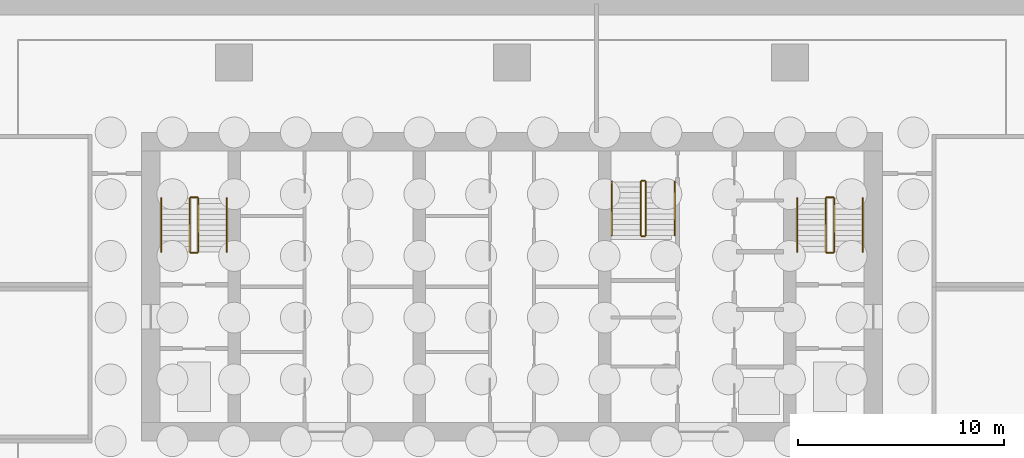
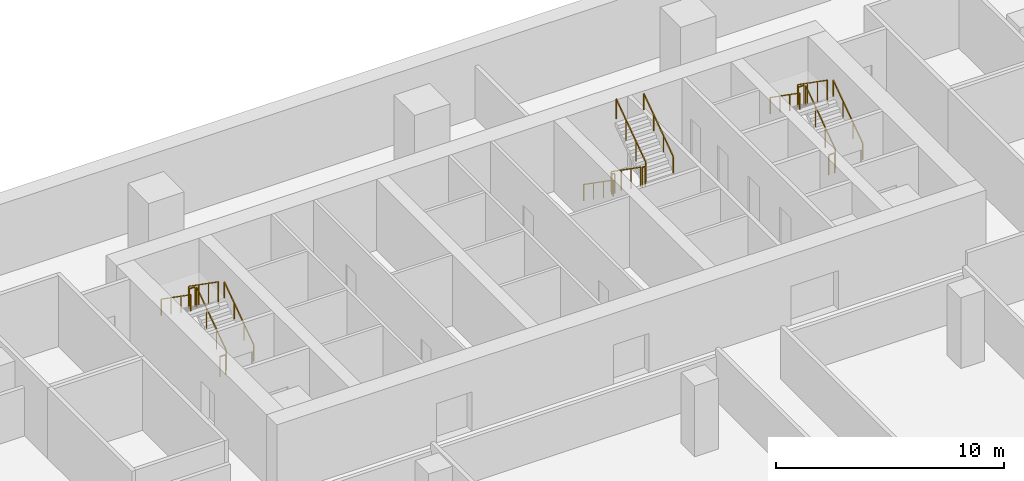
# One storey, part 9 of 10: 18 railings.
"""IFC4 building model written with IfcOpenShell, lengths in metres."""

from ifc_helpers import new_model, si_unit, direction, frame, origin, origin_2d, place, context, subcontext, project, spatial, rectangle, extrude, material, type_object, element, save


model = new_model("IFC4")

# Units and contexts
model_context = context("Model", 3, precision=1e-05, world=origin(), true_north=direction((0.0, 1.0)))
body_context = subcontext(model_context, "Body", "Model", "MODEL_VIEW")
ifc_project = project(units=[si_unit("LENGTHUNIT", "METRE"), si_unit("AREAUNIT", "SQUARE_METRE"), si_unit("VOLUMEUNIT", "CUBIC_METRE"), si_unit("PLANEANGLEUNIT", "RADIAN"), si_unit("MASSUNIT", "GRAM", prefix="KILO")], contexts=[model_context])

# Site, building, storey
site_placement = place(None, origin())
site = spatial("IfcSite", under=ifc_project, at=site_placement, CompositionType="ELEMENT")
building_placement = place(site_placement, origin())
building = spatial("IfcBuilding", under=site, at=building_placement, Name="Rattan Terrace Tower", CompositionType="ELEMENT")
storey_placement = place(building_placement, frame((0.0, 0.0, -13.5)))
storey = spatial("IfcBuildingStorey", under=building, at=storey_placement, Name="B3", CompositionType="ELEMENT", Elevation=-13.5)

# Railings
ifc_material_1 = material(Name="Powder-coated steel guard", Category="steel")
railing_type_1 = type_object("IfcRailingType", Name="Core stair guard", PredefinedType="GUARDRAIL", material=ifc_material_1)
railing_1_placement = place(storey_placement, frame((-15.25, 1.699951171875, 0.181884765625)))
element("IfcRailing", 1, at=railing_1_placement, inside=storey, type_object=railing_type_1, Name="B3 S1 stair guard 1", PredefinedType="GUARDRAIL", context=body_context, shape_type="SweptSolid", body=[
    extrude(rectangle(XDim=0.048095703125, YDim=0.048095703125, at=origin_2d()), frame((0.0, 0.0, 1.076171875), z_axis=(0.0, 0.819521025635, 0.573049115296), x_axis=(-1.0, 0.0, 0.0)), (0.0, 0.0, 1.0), 3.172607421875),
    extrude(rectangle(XDim=0.0419921875, YDim=0.0419921875, at=origin_2d()), origin(), (0.0, 0.0, 1.0), 1.052001953125),
    extrude(rectangle(XDim=0.0419921875, YDim=0.0419921875, at=origin_2d()), frame((0.0, 0.86669921875, 0.60595703125)), (0.0, 0.0, 1.0), 1.052001953125),
    extrude(rectangle(XDim=0.0419921875, YDim=0.0419921875, at=origin_2d()), frame((0.0, 1.7333984375, 1.212158203125)), (0.0, 0.0, 1.0), 1.052001953125),
    extrude(rectangle(XDim=0.0419921875, YDim=0.0419921875, at=origin_2d()), frame((0.0, 2.60009765625, 1.818115234375)), (0.0, 0.0, 1.0), 1.052001953125),
])
railing_2_placement = place(storey_placement, frame((-15.300048828125, 4.35009765625, 2.0)))
element("IfcRailing", 2, at=railing_2_placement, inside=storey, type_object=railing_type_1, Name="B3 S1 stair guard 2", PredefinedType="GUARDRAIL", context=body_context, shape_type="SweptSolid", body=[
    extrude(rectangle(XDim=0.048095703125, YDim=0.048095703125, at=origin_2d()), frame((0.0, 0.0, 1.076171875), z_axis=(-1.0, 0.0, 0.0), x_axis=(0.0, -1.0, 0.0)), (0.0, 0.0, 1.0), 0.300048828125),
    extrude(rectangle(XDim=0.0419921875, YDim=0.0419921875, at=origin_2d()), origin(), (0.0, 0.0, 1.0), 1.052001953125),
    extrude(rectangle(XDim=0.0419921875, YDim=0.0419921875, at=origin_2d()), frame((-0.300048828125, 0.0, 0.0)), (0.0, 0.0, 1.0), 1.052001953125),
])
railing_3_placement = place(storey_placement, frame((-15.64990234375, 4.300048828125, 2.181884765625)))
element("IfcRailing", 3, at=railing_3_placement, inside=storey, type_object=railing_type_1, Name="B3 S1 stair guard 3", PredefinedType="GUARDRAIL", context=body_context, shape_type="SweptSolid", body=[
    extrude(rectangle(XDim=0.048095703125, YDim=0.048095703125, at=origin_2d()), frame((0.0, 0.0, 1.076171875), z_axis=(0.0, -0.819521025635, 0.573049115296), x_axis=(1.0, 0.0, 0.0)), (0.0, 0.0, 1.0), 3.172607421875),
    extrude(rectangle(XDim=0.0419921875, YDim=0.0419921875, at=origin_2d()), origin(), (0.0, 0.0, 1.0), 1.052001953125),
    extrude(rectangle(XDim=0.0419921875, YDim=0.0419921875, at=origin_2d()), frame((0.0, -0.86669921875, 0.60595703125)), (0.0, 0.0, 1.0), 1.052001953125),
    extrude(rectangle(XDim=0.0419921875, YDim=0.0419921875, at=origin_2d()), frame((0.0, -1.7333984375, 1.212158203125)), (0.0, 0.0, 1.0), 1.052001953125),
    extrude(rectangle(XDim=0.0419921875, YDim=0.0419921875, at=origin_2d()), frame((0.0, -2.60009765625, 1.818115234375)), (0.0, 0.0, 1.0), 1.052001953125),
])
railing_4_placement = place(storey_placement, frame((-15.300048828125, 1.64990234375, 0.0)))
element("IfcRailing", 4, at=railing_4_placement, inside=storey, type_object=railing_type_1, Name="B3 S1 stair guard 4", PredefinedType="GUARDRAIL", context=body_context, shape_type="SweptSolid", body=[
    extrude(rectangle(XDim=0.048095703125, YDim=0.048095703125, at=origin_2d()), frame((0.0, 0.0, 1.076171875), z_axis=(-1.0, 0.0, 0.0), x_axis=(0.0, -1.0, 0.0)), (0.0, 0.0, 1.0), 0.300048828125),
    extrude(rectangle(XDim=0.0419921875, YDim=0.0419921875, at=origin_2d()), origin(), (0.0, 0.0, 1.0), 1.052001953125),
    extrude(rectangle(XDim=0.0419921875, YDim=0.0419921875, at=origin_2d()), frame((-0.300048828125, 0.0, 0.0)), (0.0, 0.0, 1.0), 1.052001953125),
])
railing_5_placement = place(storey_placement, frame((15.64990234375, 1.699951171875, 0.181884765625)))
element("IfcRailing", 5, at=railing_5_placement, inside=storey, type_object=railing_type_1, Name="B3 S2 stair guard 1", PredefinedType="GUARDRAIL", context=body_context, shape_type="SweptSolid", body=[
    extrude(rectangle(XDim=0.048095703125, YDim=0.048095703125, at=origin_2d()), frame((0.0, 0.0, 1.076171875), z_axis=(0.0, 0.819521025635, 0.573049115296), x_axis=(-1.0, 0.0, 0.0)), (0.0, 0.0, 1.0), 3.172607421875),
    extrude(rectangle(XDim=0.0419921875, YDim=0.0419921875, at=origin_2d()), origin(), (0.0, 0.0, 1.0), 1.052001953125),
    extrude(rectangle(XDim=0.0419921875, YDim=0.0419921875, at=origin_2d()), frame((0.0, 0.86669921875, 0.60595703125)), (0.0, 0.0, 1.0), 1.052001953125),
    extrude(rectangle(XDim=0.0419921875, YDim=0.0419921875, at=origin_2d()), frame((0.0, 1.7333984375, 1.212158203125)), (0.0, 0.0, 1.0), 1.052001953125),
    extrude(rectangle(XDim=0.0419921875, YDim=0.0419921875, at=origin_2d()), frame((0.0, 2.60009765625, 1.818115234375)), (0.0, 0.0, 1.0), 1.052001953125),
])
railing_6_placement = place(storey_placement, frame((15.60009765625, 4.35009765625, 2.0)))
element("IfcRailing", 6, at=railing_6_placement, inside=storey, type_object=railing_type_1, Name="B3 S2 stair guard 2", PredefinedType="GUARDRAIL", context=body_context, shape_type="SweptSolid", body=[
    extrude(rectangle(XDim=0.048095703125, YDim=0.048095703125, at=origin_2d()), frame((0.0, 0.0, 1.076171875), z_axis=(-1.0, 0.0, 0.0), x_axis=(0.0, -1.0, 0.0)), (0.0, 0.0, 1.0), 0.300048828125),
    extrude(rectangle(XDim=0.0419921875, YDim=0.0419921875, at=origin_2d()), origin(), (0.0, 0.0, 1.0), 1.052001953125),
    extrude(rectangle(XDim=0.0419921875, YDim=0.0419921875, at=origin_2d()), frame((-0.300048828125, 0.0, 0.0)), (0.0, 0.0, 1.0), 1.052001953125),
])
railing_7_placement = place(storey_placement, frame((15.25, 4.300048828125, 2.181884765625)))
element("IfcRailing", 7, at=railing_7_placement, inside=storey, type_object=railing_type_1, Name="B3 S2 stair guard 3", PredefinedType="GUARDRAIL", context=body_context, shape_type="SweptSolid", body=[
    extrude(rectangle(XDim=0.048095703125, YDim=0.048095703125, at=origin_2d()), frame((0.0, 0.0, 1.076171875), z_axis=(0.0, -0.819521025635, 0.573049115296), x_axis=(1.0, 0.0, 0.0)), (0.0, 0.0, 1.0), 3.172607421875),
    extrude(rectangle(XDim=0.0419921875, YDim=0.0419921875, at=origin_2d()), origin(), (0.0, 0.0, 1.0), 1.052001953125),
    extrude(rectangle(XDim=0.0419921875, YDim=0.0419921875, at=origin_2d()), frame((0.0, -0.86669921875, 0.60595703125)), (0.0, 0.0, 1.0), 1.052001953125),
    extrude(rectangle(XDim=0.0419921875, YDim=0.0419921875, at=origin_2d()), frame((0.0, -1.7333984375, 1.212158203125)), (0.0, 0.0, 1.0), 1.052001953125),
    extrude(rectangle(XDim=0.0419921875, YDim=0.0419921875, at=origin_2d()), frame((0.0, -2.60009765625, 1.818115234375)), (0.0, 0.0, 1.0), 1.052001953125),
])
railing_8_placement = place(storey_placement, frame((15.60009765625, 1.64990234375, 0.0)))
element("IfcRailing", 8, at=railing_8_placement, inside=storey, type_object=railing_type_1, Name="B3 S2 stair guard 4", PredefinedType="GUARDRAIL", context=body_context, shape_type="SweptSolid", body=[
    extrude(rectangle(XDim=0.048095703125, YDim=0.048095703125, at=origin_2d()), frame((0.0, 0.0, 1.076171875), z_axis=(-1.0, 0.0, 0.0), x_axis=(0.0, -1.0, 0.0)), (0.0, 0.0, 1.0), 0.300048828125),
    extrude(rectangle(XDim=0.0419921875, YDim=0.0419921875, at=origin_2d()), origin(), (0.0, 0.0, 1.0), 1.052001953125),
    extrude(rectangle(XDim=0.0419921875, YDim=0.0419921875, at=origin_2d()), frame((-0.300048828125, 0.0, 0.0)), (0.0, 0.0, 1.0), 1.052001953125),
])
railing_9_placement = place(storey_placement, frame((6.25, 5.10009765625, 0.181884765625)))
element("IfcRailing", 9, at=railing_9_placement, inside=storey, type_object=railing_type_1, Name="B3 S3 stair guard 1", PredefinedType="GUARDRAIL", context=body_context, shape_type="SweptSolid", body=[
    extrude(rectangle(XDim=0.048095703125, YDim=0.048095703125, at=origin_2d()), frame((0.0, 0.0, 1.076171875), z_axis=(0.0, -0.819521025635, 0.573049115296), x_axis=(1.0, 0.0, 0.0)), (0.0, 0.0, 1.0), 3.172607421875),
    extrude(rectangle(XDim=0.0419921875, YDim=0.0419921875, at=origin_2d()), origin(), (0.0, 0.0, 1.0), 1.052001953125),
    extrude(rectangle(XDim=0.0419921875, YDim=0.0419921875, at=origin_2d()), frame((0.0, -0.86669921875, 0.60595703125)), (0.0, 0.0, 1.0), 1.052001953125),
    extrude(rectangle(XDim=0.0419921875, YDim=0.0419921875, at=origin_2d()), frame((0.0, -1.7333984375, 1.212158203125)), (0.0, 0.0, 1.0), 1.052001953125),
    extrude(rectangle(XDim=0.0419921875, YDim=0.0419921875, at=origin_2d()), frame((0.0, -2.60009765625, 1.818115234375)), (0.0, 0.0, 1.0), 1.052001953125),
])
railing_10_placement = place(storey_placement, frame((6.300048828125, 2.449951171875, 2.0)))
element("IfcRailing", 10, at=railing_10_placement, inside=storey, type_object=railing_type_1, Name="B3 S3 stair guard 2", PredefinedType="GUARDRAIL", context=body_context, shape_type="SweptSolid", body=[
    extrude(rectangle(XDim=0.048095703125, YDim=0.048095703125, at=origin_2d()), frame((0.0, 0.0, 1.076171875), z_axis=(1.0, 0.0, 0.0), x_axis=(0.0, 1.0, 0.0)), (0.0, 0.0, 1.0), 0.14990234375),
    extrude(rectangle(XDim=0.0419921875, YDim=0.0419921875, at=origin_2d()), origin(), (0.0, 0.0, 1.0), 1.052001953125),
    extrude(rectangle(XDim=0.0419921875, YDim=0.0419921875, at=origin_2d()), frame((0.14990234375, 0.0, 0.0)), (0.0, 0.0, 1.0), 1.052001953125),
])
railing_11_placement = place(storey_placement, frame((6.5, 2.5, 2.181884765625)))
element("IfcRailing", 11, at=railing_11_placement, inside=storey, type_object=railing_type_1, Name="B3 S3 stair guard 3", PredefinedType="GUARDRAIL", context=body_context, shape_type="SweptSolid", body=[
    extrude(rectangle(XDim=0.048095703125, YDim=0.048095703125, at=origin_2d()), frame((0.0, 0.0, 1.076171875), z_axis=(0.0, 0.819521025635, 0.573049115296), x_axis=(-1.0, 0.0, 0.0)), (0.0, 0.0, 1.0), 3.172607421875),
    extrude(rectangle(XDim=0.0419921875, YDim=0.0419921875, at=origin_2d()), origin(), (0.0, 0.0, 1.0), 1.052001953125),
    extrude(rectangle(XDim=0.0419921875, YDim=0.0419921875, at=origin_2d()), frame((0.0, 0.86669921875, 0.60595703125)), (0.0, 0.0, 1.0), 1.052001953125),
    extrude(rectangle(XDim=0.0419921875, YDim=0.0419921875, at=origin_2d()), frame((0.0, 1.7333984375, 1.212158203125)), (0.0, 0.0, 1.0), 1.052001953125),
    extrude(rectangle(XDim=0.0419921875, YDim=0.0419921875, at=origin_2d()), frame((0.0, 2.60009765625, 1.818115234375)), (0.0, 0.0, 1.0), 1.052001953125),
])
railing_12_placement = place(storey_placement, frame((6.300048828125, 5.14990234375, 0.0)))
element("IfcRailing", 12, at=railing_12_placement, inside=storey, type_object=railing_type_1, Name="B3 S3 stair guard 4", PredefinedType="GUARDRAIL", context=body_context, shape_type="SweptSolid", body=[
    extrude(rectangle(XDim=0.048095703125, YDim=0.048095703125, at=origin_2d()), frame((0.0, 0.0, 1.076171875), z_axis=(1.0, 0.0, 0.0), x_axis=(0.0, 1.0, 0.0)), (0.0, 0.0, 1.0), 0.14990234375),
    extrude(rectangle(XDim=0.0419921875, YDim=0.0419921875, at=origin_2d()), origin(), (0.0, 0.0, 1.0), 1.052001953125),
    extrude(rectangle(XDim=0.0419921875, YDim=0.0419921875, at=origin_2d()), frame((0.14990234375, 0.0, 0.0)), (0.0, 0.0, 1.0), 1.052001953125),
])
ifc_material_2 = material(Name="Powder-coated steel handrail", Category="steel")
railing_type_2 = type_object("IfcRailingType", Name="Core stair handrail", PredefinedType="HANDRAIL", material=ifc_material_2)
railing_13_placement = place(storey_placement, frame((-13.85009765625, 1.699951171875, 0.181884765625)))
element("IfcRailing", 13, at=railing_13_placement, inside=storey, type_object=railing_type_2, Name="B3 S1 stair handrail 1", PredefinedType="HANDRAIL", context=body_context, shape_type="SweptSolid", body=[
    extrude(rectangle(XDim=0.048095703125, YDim=0.048095703125, at=origin_2d()), frame((0.0, 0.0, 0.8759765625), z_axis=(0.0, 0.819521025635, 0.573049115296), x_axis=(-1.0, 0.0, 0.0)), (0.0, 0.0, 1.0), 3.172607421875),
    extrude(rectangle(XDim=0.0419921875, YDim=0.0419921875, at=origin_2d()), origin(), (0.0, 0.0, 1.0), 0.851806640625),
    extrude(rectangle(XDim=0.0419921875, YDim=0.0419921875, at=origin_2d()), frame((0.0, 0.86669921875, 0.60595703125)), (0.0, 0.0, 1.0), 0.851806640625),
    extrude(rectangle(XDim=0.0419921875, YDim=0.0419921875, at=origin_2d()), frame((0.0, 1.7333984375, 1.212158203125)), (0.0, 0.0, 1.0), 0.851806640625),
    extrude(rectangle(XDim=0.0419921875, YDim=0.0419921875, at=origin_2d()), frame((0.0, 2.60009765625, 1.818115234375)), (0.0, 0.0, 1.0), 0.851806640625),
])
railing_14_placement = place(storey_placement, frame((-17.050048828125, 4.300048828125, 2.181884765625)))
element("IfcRailing", 14, at=railing_14_placement, inside=storey, type_object=railing_type_2, Name="B3 S1 stair handrail 2", PredefinedType="HANDRAIL", context=body_context, shape_type="SweptSolid", body=[
    extrude(rectangle(XDim=0.048095703125, YDim=0.048095703125, at=origin_2d()), frame((0.0, 0.0, 0.8759765625), z_axis=(0.0, -0.819521025635, 0.573049115296), x_axis=(1.0, 0.0, 0.0)), (0.0, 0.0, 1.0), 3.172607421875),
    extrude(rectangle(XDim=0.0419921875, YDim=0.0419921875, at=origin_2d()), origin(), (0.0, 0.0, 1.0), 0.851806640625),
    extrude(rectangle(XDim=0.0419921875, YDim=0.0419921875, at=origin_2d()), frame((0.0, -0.86669921875, 0.60595703125)), (0.0, 0.0, 1.0), 0.851806640625),
    extrude(rectangle(XDim=0.0419921875, YDim=0.0419921875, at=origin_2d()), frame((0.0, -1.7333984375, 1.212158203125)), (0.0, 0.0, 1.0), 0.851806640625),
    extrude(rectangle(XDim=0.0419921875, YDim=0.0419921875, at=origin_2d()), frame((0.0, -2.60009765625, 1.818115234375)), (0.0, 0.0, 1.0), 0.851806640625),
])
railing_15_placement = place(storey_placement, frame((17.050048828125, 1.699951171875, 0.181884765625)))
element("IfcRailing", 15, at=railing_15_placement, inside=storey, type_object=railing_type_2, Name="B3 S2 stair handrail 1", PredefinedType="HANDRAIL", context=body_context, shape_type="SweptSolid", body=[
    extrude(rectangle(XDim=0.048095703125, YDim=0.048095703125, at=origin_2d()), frame((0.0, 0.0, 0.8759765625), z_axis=(0.0, 0.819521025635, 0.573049115296), x_axis=(-1.0, 0.0, 0.0)), (0.0, 0.0, 1.0), 3.172607421875),
    extrude(rectangle(XDim=0.0419921875, YDim=0.0419921875, at=origin_2d()), origin(), (0.0, 0.0, 1.0), 0.851806640625),
    extrude(rectangle(XDim=0.0419921875, YDim=0.0419921875, at=origin_2d()), frame((0.0, 0.86669921875, 0.60595703125)), (0.0, 0.0, 1.0), 0.851806640625),
    extrude(rectangle(XDim=0.0419921875, YDim=0.0419921875, at=origin_2d()), frame((0.0, 1.7333984375, 1.212158203125)), (0.0, 0.0, 1.0), 0.851806640625),
    extrude(rectangle(XDim=0.0419921875, YDim=0.0419921875, at=origin_2d()), frame((0.0, 2.60009765625, 1.818115234375)), (0.0, 0.0, 1.0), 0.851806640625),
])
for number, where, name in (
    (16, (13.85009765625, 4.300048828125, 2.181884765625), "B3 S2 stair handrail 2"),
    (17, (4.85009765625, 5.10009765625, 0.181884765625), "B3 S3 stair handrail 1"),
):
    element("IfcRailing", number, at=place(storey_placement, frame(where)), inside=storey, type_object=railing_type_2, Name=name, PredefinedType="HANDRAIL", context=body_context, shape_type="SweptSolid", body=[
        extrude(rectangle(XDim=0.048095703125, YDim=0.048095703125, at=origin_2d()), frame((0.0, 0.0, 0.8759765625), z_axis=(0.0, -0.819521025635, 0.573049115296), x_axis=(1.0, 0.0, 0.0)), (0.0, 0.0, 1.0), 3.172607421875),
        extrude(rectangle(XDim=0.0419921875, YDim=0.0419921875, at=origin_2d()), origin(), (0.0, 0.0, 1.0), 0.851806640625),
        extrude(rectangle(XDim=0.0419921875, YDim=0.0419921875, at=origin_2d()), frame((0.0, -0.86669921875, 0.60595703125)), (0.0, 0.0, 1.0), 0.851806640625),
        extrude(rectangle(XDim=0.0419921875, YDim=0.0419921875, at=origin_2d()), frame((0.0, -1.7333984375, 1.212158203125)), (0.0, 0.0, 1.0), 0.851806640625),
        extrude(rectangle(XDim=0.0419921875, YDim=0.0419921875, at=origin_2d()), frame((0.0, -2.60009765625, 1.818115234375)), (0.0, 0.0, 1.0), 0.851806640625),
    ])
railing_16_placement = place(storey_placement, frame((7.89990234375, 2.5, 2.181884765625)))
element("IfcRailing", 18, at=railing_16_placement, inside=storey, type_object=railing_type_2, Name="B3 S3 stair handrail 2", PredefinedType="HANDRAIL", context=body_context, shape_type="SweptSolid", body=[
    extrude(rectangle(XDim=0.048095703125, YDim=0.048095703125, at=origin_2d()), frame((0.0, 0.0, 0.8759765625), z_axis=(0.0, 0.819521025635, 0.573049115296), x_axis=(-1.0, 0.0, 0.0)), (0.0, 0.0, 1.0), 3.172607421875),
    extrude(rectangle(XDim=0.0419921875, YDim=0.0419921875, at=origin_2d()), origin(), (0.0, 0.0, 1.0), 0.851806640625),
    extrude(rectangle(XDim=0.0419921875, YDim=0.0419921875, at=origin_2d()), frame((0.0, 0.86669921875, 0.60595703125)), (0.0, 0.0, 1.0), 0.851806640625),
    extrude(rectangle(XDim=0.0419921875, YDim=0.0419921875, at=origin_2d()), frame((0.0, 1.7333984375, 1.212158203125)), (0.0, 0.0, 1.0), 0.851806640625),
    extrude(rectangle(XDim=0.0419921875, YDim=0.0419921875, at=origin_2d()), frame((0.0, 2.60009765625, 1.818115234375)), (0.0, 0.0, 1.0), 0.851806640625),
])

save(model, "model.ifc")
